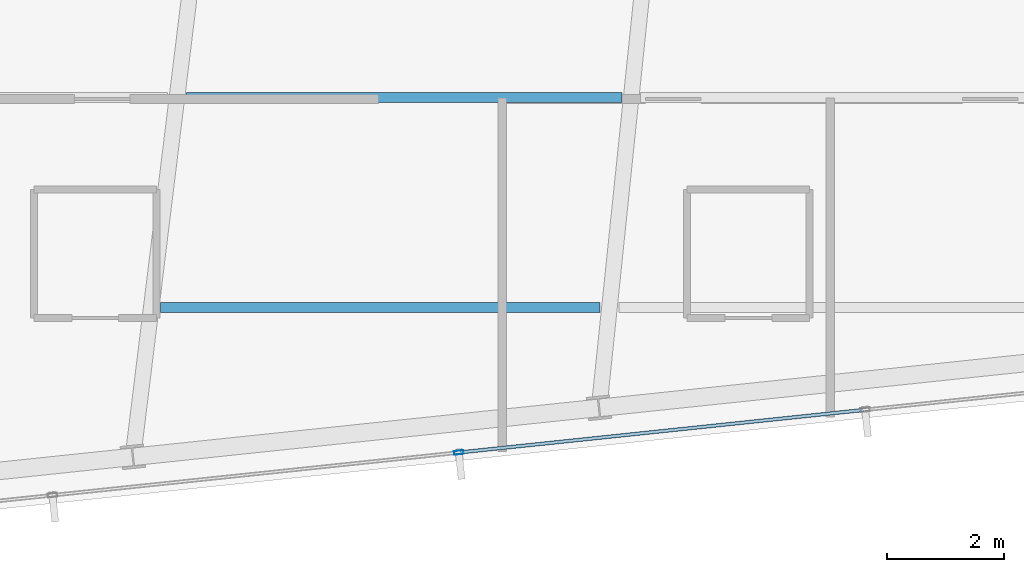
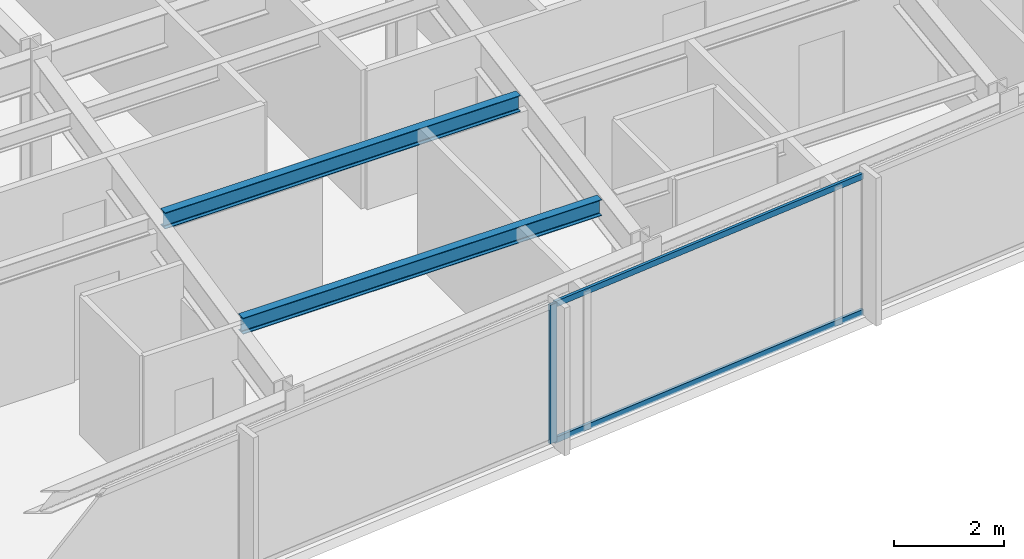
# One storey, part 7 of 32: 3 members, 2 beams, 1 element without a shape of its own.
"""IFC4 building model written with IfcOpenShell, lengths in metres."""

from ifc_helpers import new_model, si_unit, direction, frame, origin, origin_2d, place, context, subcontext, project, spatial, hollow_rectangle, i_section, extrude, material, material_profile, profile_set, type_object, element, aggregate, save


model = new_model("IFC4")

# Units and contexts
model_context = context("Model", 3, precision=1e-05, world=origin(), true_north=direction((0.0, 1.0)))
body_context = subcontext(model_context, "Body", "Model", "MODEL_VIEW")
ifc_project = project(units=[si_unit("LENGTHUNIT", "METRE"), si_unit("AREAUNIT", "SQUARE_METRE"), si_unit("VOLUMEUNIT", "CUBIC_METRE"), si_unit("PLANEANGLEUNIT", "RADIAN"), si_unit("MASSUNIT", "GRAM", prefix="KILO")], contexts=[model_context])

# Site, building, storey
site_placement = place(None, origin())
site = spatial("IfcSite", under=ifc_project, at=site_placement, CompositionType="ELEMENT")
building_placement = place(site_placement, origin())
building = spatial("IfcBuilding", under=site, at=building_placement, Name="Yelkora Congress Tower", CompositionType="ELEMENT")
storey_placement = place(building_placement, frame((0.0, 0.0, 217.699951171875)))
storey = spatial("IfcBuildingStorey", under=building, at=storey_placement, Name="L60", CompositionType="ELEMENT", Elevation=217.699951171875)

# Beams
ifc_material_1 = material(Name="Steel S355J2", Category="steel")
ifc_material_profile_1 = material_profile(ifc_material_1, i_section(OverallWidth=0.169921875, OverallDepth=0.360107421875, WebThickness=0.008056640625, FlangeThickness=0.0126953125, FilletRadius=0.01806640625, at=origin_2d()), Name="IPE 360")
ifc_profile_set_1 = profile_set([ifc_material_profile_1], Name="Steel S355J2")
beam_type = type_object("IfcBeamType", Name="BM-JOIST-IPE360", PredefinedType="JOIST", material=ifc_profile_set_1)
beam_1_placement = place(storey_placement, frame((29.76220703125, 16.07861328125, 2.900146484375), z_axis=(1.0, 0.0, 0.0), x_axis=(0.0, 1.0, 0.0)))
element("IfcBeam", 1, at=beam_1_placement, inside=storey, type_object=beam_type, Name="L60 Composite Floor Joist 1", PredefinedType="JOIST", context=body_context, shape_type="SweptSolid", body=[
    extrude(i_section(OverallWidth=0.169921875, OverallDepth=0.360107421875, WebThickness=0.008056640625, FlangeThickness=0.0126953125, FilletRadius=0.01806640625, at=origin_2d()), origin(), (0.0, 0.0, 1.0), 7.53369140625),
])
beam_2_placement = place(storey_placement, frame((30.203369140625, 19.678466796875, 2.900146484375), z_axis=(1.0, 0.0, 0.0), x_axis=(0.0, 1.0, 0.0)))
element("IfcBeam", 2, at=beam_2_placement, inside=storey, type_object=beam_type, Name="L60 Composite Floor Joist 4", PredefinedType="JOIST", context=body_context, shape_type="SweptSolid", body=[
    extrude(i_section(OverallWidth=0.169921875, OverallDepth=0.360107421875, WebThickness=0.008056640625, FlangeThickness=0.0126953125, FilletRadius=0.01806640625, at=origin_2d()), origin(), (0.0, 0.0, 1.0), 7.465087890625),
])

# Curtain wall, members
ifc_material_2 = material(Name="Anodised aluminium and insulated glass", Category="aluminium")
curtain_wall_type = type_object("IfcCurtainWallType", Name="CW-SYS-B4", PredefinedType="NOTDEFINED", material=ifc_material_2)
curtain_wall_placement = place(storey_placement, origin())
curtain_wall = element("IfcCurtainWall", 3, at=curtain_wall_placement, inside=storey, type_object=curtain_wall_type, Name="L60 Unitised Curtain Wall 20", PredefinedType="NOTDEFINED")
ifc_material_3 = material(Name="Anodised aluminium 6063-T6", Category="aluminium")
ifc_material_profile_2 = material_profile(ifc_material_3, hollow_rectangle(XDim=0.06494140625, YDim=0.159912109375, WallThickness=0.00390625, at=origin_2d()), Name="ALU 65x160x4")
ifc_profile_set_2 = profile_set([ifc_material_profile_2], Name="Anodised aluminium 6063-T6")
member_type_1 = type_object("IfcMemberType", Name="MEM-ML-B4", PredefinedType="MULLION", material=ifc_profile_set_2)
member_1_placement = place(storey_placement, frame((34.87353515625, 13.592529296875, 0.0), z_axis=(0.0, 0.0, 1.0), x_axis=(0.104526664994, -0.994522084373, 0.0)))
member_1 = element("IfcMember", 4, at=member_1_placement, type_object=member_type_1, Name="CW-B4 mullion 6", PredefinedType="MULLION", context=body_context, shape_type="SweptSolid", body=[
    extrude(hollow_rectangle(XDim=0.06494140625, YDim=0.159912109375, WallThickness=0.00390625, at=origin_2d()), origin(), (0.0, 0.0, 1.0), 3.080078125),
])
ifc_material_profile_3 = material_profile(ifc_material_3, hollow_rectangle(XDim=0.06005859375, YDim=0.1298828125, WallThickness=0.00390625, at=origin_2d()), Name="ALU 60x130x4")
ifc_profile_set_3 = profile_set([ifc_material_profile_3], Name="Anodised aluminium 6063-T6")
member_type_2 = type_object("IfcMemberType", Name="MEM-TR-B4", PredefinedType="USERDEFINED", material=ifc_profile_set_3)
member_2_placement = place(storey_placement, frame((41.8056640625, 14.321044921875, 0.030029296875), z_axis=(-0.99452317859, -0.104516253509, 0.0), x_axis=(0.104516253509, -0.99452317859, 0.0)))
member_2 = element("IfcMember", 5, at=member_2_placement, type_object=member_type_2, Name="CW-B4 transom 5.1", ObjectType="TRANSOM", PredefinedType="USERDEFINED", context=body_context, shape_type="SweptSolid", body=[
    extrude(hollow_rectangle(XDim=0.06005859375, YDim=0.1298828125, WallThickness=0.00390625, at=origin_2d()), origin(), (0.0, 0.0, 1.0), 6.937744140625),
])
member_3_placement = place(storey_placement, frame((41.8056640625, 14.321044921875, 3.050048828125), z_axis=(-0.99452317859, -0.104516253509, 0.0), x_axis=(0.104516253509, -0.99452317859, 0.0)))
member_3 = element("IfcMember", 6, at=member_3_placement, type_object=member_type_2, Name="CW-B4 transom 5.2", ObjectType="TRANSOM", PredefinedType="USERDEFINED", context=body_context, shape_type="SweptSolid", body=[
    extrude(hollow_rectangle(XDim=0.06005859375, YDim=0.1298828125, WallThickness=0.00390625, at=origin_2d()), origin(), (0.0, 0.0, 1.0), 6.937744140625),
])
aggregate(curtain_wall, [member_1, member_2, member_3])

save(model, "model.ifc")
